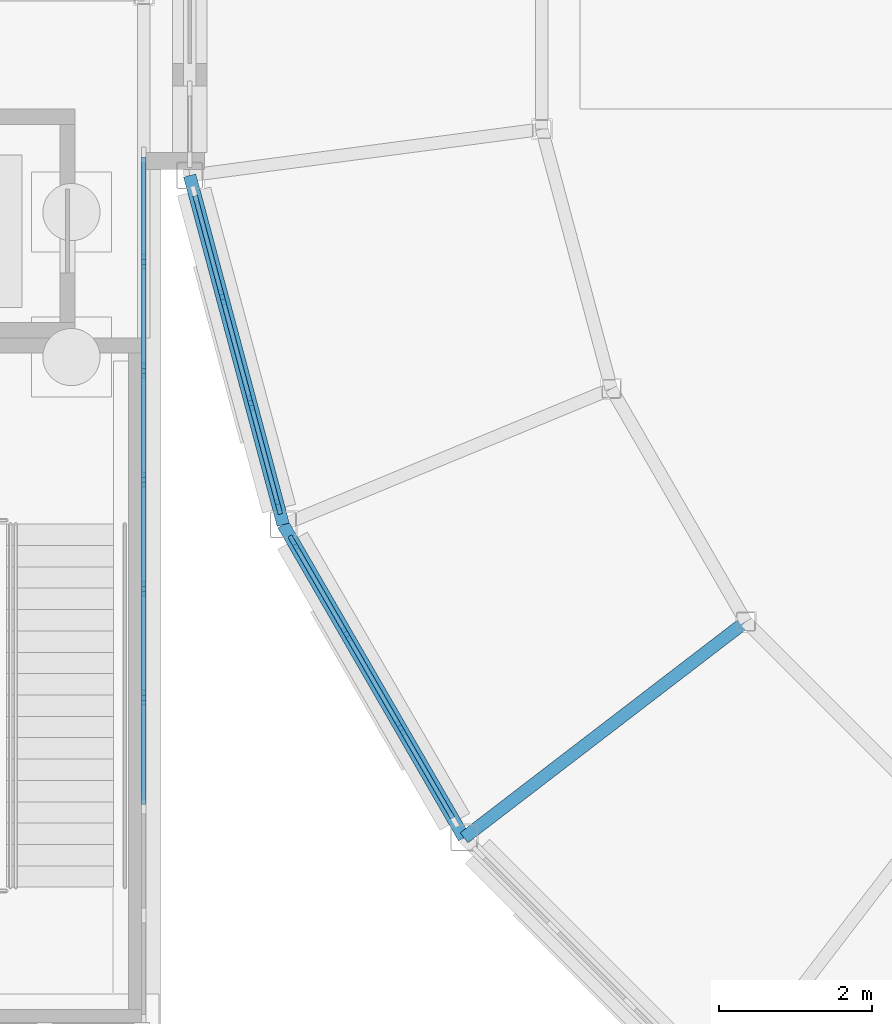
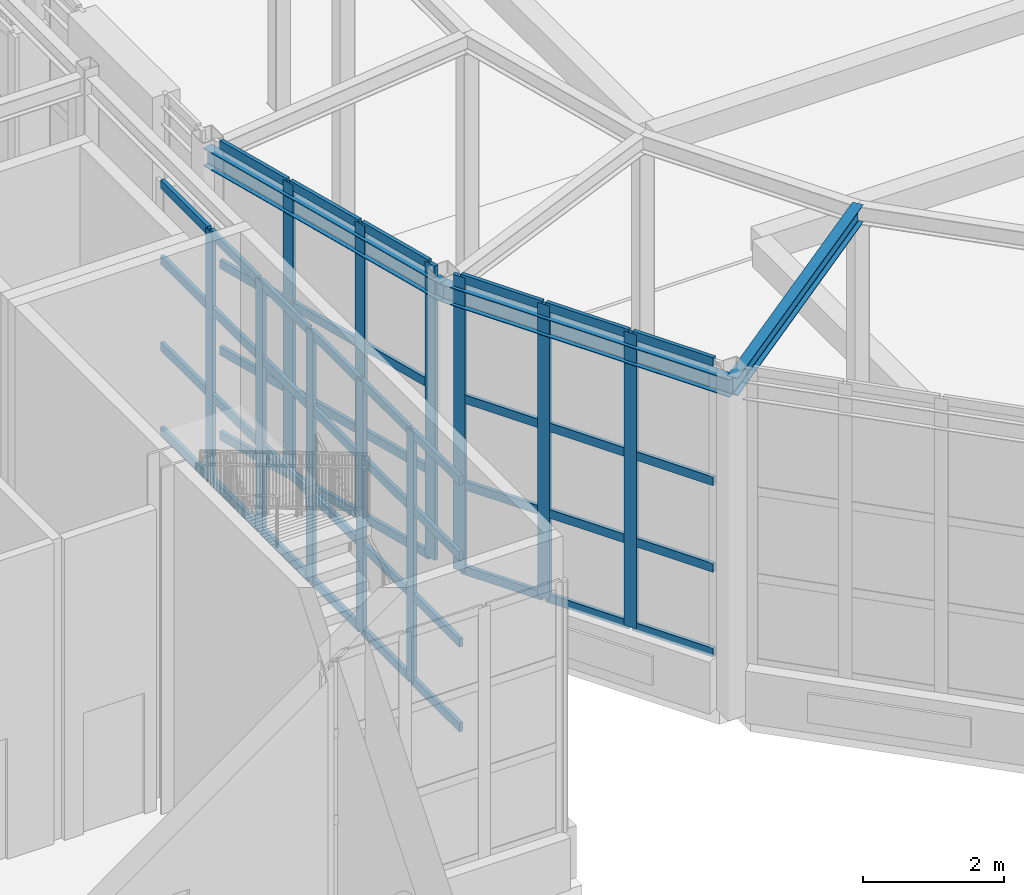
# One storey, part 27 of 106: 59 members, 3 beams, 3 elements without a shape of their own.
"""IFC4 building model written with IfcOpenShell, lengths in metres."""

import ifcopenshell
import ifcopenshell.guid

model = None  # the IFC model being written
_history = None  # IfcOwnerHistory: only IFC2X3 demands one
_inside = {}  # id of a spatial element -> (the spatial element, [elements in it])
_under = {}  # id of a project, library or spatial element -> (it, [spatial elements below it])
_declared = {}  # id of a project -> (the project, [libraries it declares])
_typed = {}  # id of a type object -> (the type object, [elements of that type])
_made_of = {}  # id of a material, layer set ... -> (it, [elements and type objects made of it])


def new_model(schema):
    """Start an empty IFC model of exactly this schema.

    Asked for "IFC4X3", IfcOpenShell would pick the latest addendum, in which some entities
    have other attributes; the version numbers below select the first issue.
    IFC2X3 requires an IfcOwnerHistory on every rooted entity: one is made here for all.
    """
    global model, _history
    if schema == "IFC4X3":
        model = ifcopenshell.file(schema_version=(4, 3, 0, 0))
    else:
        model = ifcopenshell.file(schema=schema)
    _inside.clear()
    _under.clear()
    _declared.clear()
    _typed.clear()
    _made_of.clear()
    _history = None
    if model.schema == "IFC2X3":
        org = make("IfcOrganization", Name="unknown")
        user = make(
            "IfcPersonAndOrganization",
            ThePerson=make("IfcPerson", FamilyName="unknown"),
            TheOrganization=org,
        )
        app = make(
            "IfcApplication",
            ApplicationDeveloper=org,
            Version="unknown",
            ApplicationFullName="unknown",
            ApplicationIdentifier="unknown",
        )
        _history = make(
            "IfcOwnerHistory",
            OwningUser=user,
            OwningApplication=app,
            ChangeAction="ADDED",
            CreationDate=0,
        )
    return model


def make(cls, **values):
    """One entity of the class cls with the attributes given. An attribute that is None is left unset."""
    return model.create_entity(
        cls, **{name: value for name, value in values.items() if value is not None}
    )


def rooted(cls, **values):
    """An entity with a GlobalId (a new one), such as an element, a storey or a relation."""
    return make(cls, GlobalId=ifcopenshell.guid.new(), OwnerHistory=_history, **values)


def si_unit(unit_type, name, prefix=None):
    """IfcSIUnit, for example si_unit("LENGTHUNIT", "METRE", prefix="MILLI")."""
    return make("IfcSIUnit", UnitType=unit_type, Prefix=prefix, Name=name)


def assignment(units):
    """IfcUnitAssignment: the units of a project."""
    return None if units is None else make("IfcUnitAssignment", Units=units)


def point(xyz):
    """IfcCartesianPoint."""
    return None if xyz is None else make("IfcCartesianPoint", Coordinates=xyz)


def direction(xyz):
    """IfcDirection."""
    return None if xyz is None else make("IfcDirection", DirectionRatios=xyz)


def frame(location, z_axis=None, x_axis=None):
    """IfcAxis2Placement3D, a coordinate frame: its origin and axes. An axis left out is left unset."""
    return make(
        "IfcAxis2Placement3D",
        Location=point(location),
        Axis=direction(z_axis),
        RefDirection=direction(x_axis),
    )


def frame_2d(location, x_axis=None):
    """IfcAxis2Placement2D, a coordinate frame in the plane: its origin and x axis."""
    return make(
        "IfcAxis2Placement2D", Location=point(location), RefDirection=direction(x_axis)
    )


def origin():
    """The frame at (0, 0, 0) with its axes left unset."""
    return frame((0.0, 0.0, 0.0))


def origin_2d():
    """The frame at (0, 0) in the plane with its x axis left unset."""
    return frame_2d((0.0, 0.0))


def place(relative_to, where):
    """IfcLocalPlacement: puts the frame where relative to a parent placement (None: the world)."""
    return make(
        "IfcLocalPlacement", PlacementRelTo=relative_to, RelativePlacement=where
    )


def context(
    kind, dimensions, precision=None, world=None, true_north=None, identifier=None
):
    """IfcGeometricRepresentationContext, for example the 3D "Model" context."""
    return make(
        "IfcGeometricRepresentationContext",
        ContextIdentifier=identifier,
        ContextType=kind,
        CoordinateSpaceDimension=dimensions,
        Precision=precision,
        WorldCoordinateSystem=world,
        TrueNorth=true_north,
    )


def subcontext(parent, identifier, kind, view, scale=None):
    """IfcGeometricRepresentationSubContext, for example "Body" below "Model"."""
    return make(
        "IfcGeometricRepresentationSubContext",
        ContextIdentifier=identifier,
        ContextType=kind,
        ParentContext=parent,
        TargetScale=scale,
        TargetView=view,
    )


def project(units=None, contexts=None):
    """IfcProject with its units and contexts."""
    return rooted(
        "IfcProject",
        Name="project",
        RepresentationContexts=contexts,
        UnitsInContext=assignment(units),
    )


def spatial(cls, under=None, at=None, **own):
    """A site, building, storey or space (cls), placed at a placement, below another one or the project."""
    s = rooted(cls, ObjectPlacement=at, **own)
    if under is not None:
        _under.setdefault(under.id(), (under, []))[1].append(s)
    return s


def profile(cls, at=None, kind="AREA", **sizes):
    """A parametric profile (cls). Its sizes go by their IFC names, for example OverallWidth=200.0."""
    return make(cls, ProfileType=kind, Position=at, **sizes)


def rectangle(**sizes):
    """IfcRectangleProfileDef."""
    return profile("IfcRectangleProfileDef", **sizes)


def i_section(**sizes):
    """IfcIShapeProfileDef."""
    return profile("IfcIShapeProfileDef", **sizes)


def extrude(swept, where, along, depth):
    """IfcExtrudedAreaSolid: the profile swept, set in the frame where, extruded along a direction by depth."""
    return make(
        "IfcExtrudedAreaSolid",
        SweptArea=swept,
        Position=where,
        ExtrudedDirection=direction(along),
        Depth=depth,
    )


def shape(context_of_items, identifier, shape_type, items):
    """IfcShapeRepresentation: the items that make up one representation, for example the "Body"."""
    return make(
        "IfcShapeRepresentation",
        ContextOfItems=context_of_items,
        RepresentationIdentifier=identifier,
        RepresentationType=shape_type,
        Items=items,
    )


def material(Name=None, Category=None):
    """IfcMaterial."""
    return make("IfcMaterial", Name=Name, Category=Category)


def layer(
    of_material, thickness, ventilated=None, Name=None, Category=None, Priority=None
):
    """IfcMaterialLayer: one layer of a wall or slab, of a material (None: an air gap)."""
    return make(
        "IfcMaterialLayer",
        Material=of_material,
        LayerThickness=thickness,
        IsVentilated=ventilated,
        Name=Name,
        Category=Category,
        Priority=Priority,
    )


def layer_set(layers, Name=None):
    """IfcMaterialLayerSet."""
    return make("IfcMaterialLayerSet", MaterialLayers=layers, LayerSetName=Name)


def material_profile(
    of_material, cross_section, Name=None, Category=None, Priority=None
):
    """IfcMaterialProfile: a cross section and its material."""
    return make(
        "IfcMaterialProfile",
        Name=Name,
        Material=of_material,
        Profile=cross_section,
        Priority=Priority,
        Category=Category,
    )


def profile_set(profiles, Name=None, composite=None):
    """IfcMaterialProfileSet."""
    return make(
        "IfcMaterialProfileSet",
        Name=Name,
        MaterialProfiles=profiles,
        CompositeProfile=composite,
    )


def made_of(thing, what):
    """Note that an element or type object is made of a material, layer set ...; save() writes the relation."""
    if what is not None:
        _made_of.setdefault(what.id(), (what, []))[1].append(thing)
    return thing


def type_object(cls, material=None, **own):
    """A type object (cls), such as IfcWallType, which elements share."""
    return made_of(rooted(cls, **own), material)


def element(
    cls,
    number,
    at=None,
    inside=None,
    cuts=None,
    type_object=None,
    material=None,
    context=None,
    identifier="Body",
    shape_type=None,
    held_by="IfcProductDefinitionShape",
    body=None,
    shapes=None,
    **own,
):
    """One element of the class cls, such as IfcWall. Its Tag is "e" and its number.

    at: its placement. inside: the storey or other place that contains it. cuts: it is an
    opening in that element (IfcRelVoidsElement). A single representation is given by context,
    identifier, shape_type and body (its items); several are given by shapes. held_by: the class
    of the entity that holds the representations. save() writes the other relations.
    """
    e = rooted(cls, Tag="e%d" % number, ObjectPlacement=at, **own)
    if body is not None:
        shapes = [shape(context, identifier, shape_type, body)]
    if shapes is not None:
        e.Representation = make(held_by, Representations=shapes)
    if inside is not None:
        _inside.setdefault(inside.id(), (inside, []))[1].append(e)
    if cuts is not None:
        rooted(
            "IfcRelVoidsElement", RelatingBuildingElement=cuts, RelatedOpeningElement=e
        )
    if type_object is not None:
        _typed.setdefault(type_object.id(), (type_object, []))[1].append(e)
    return made_of(e, material)


def aggregate(whole, parts):
    """IfcRelAggregates: a whole, such as a stair, and the parts it consists of."""
    return rooted("IfcRelAggregates", RelatingObject=whole, RelatedObjects=parts)


def save(model, path):
    """Write the relations noted so far, then the file.

    IfcRelAggregates (storeys below a building ...), IfcRelContainedInSpatialStructure (elements
    in a storey), IfcRelDefinesByType, IfcRelAssociatesMaterial and IfcRelDeclares: one each for
    every whole, place, type object, material and project.
    """
    for whole, parts in _under.values():
        aggregate(whole, parts)
    for where, things in _inside.values():
        rooted(
            "IfcRelContainedInSpatialStructure",
            RelatedElements=things,
            RelatingStructure=where,
        )
    for kind, things in _typed.values():
        rooted("IfcRelDefinesByType", RelatedObjects=things, RelatingType=kind)
    for what, things in _made_of.values():
        rooted("IfcRelAssociatesMaterial", RelatedObjects=things, RelatingMaterial=what)
    for by, libraries in _declared.values():
        rooted("IfcRelDeclares", RelatingContext=by, RelatedDefinitions=libraries)
    model.write(path)


model = new_model("IFC4")

# Units and contexts
model_context = context("Model", 3, precision=1e-05, world=origin(), true_north=direction((0.0, 1.0)))
body_context = subcontext(model_context, "Body", "Model", "MODEL_VIEW")
ifc_project = project(units=[si_unit("LENGTHUNIT", "METRE"), si_unit("AREAUNIT", "SQUARE_METRE"), si_unit("VOLUMEUNIT", "CUBIC_METRE"), si_unit("PLANEANGLEUNIT", "RADIAN"), si_unit("MASSUNIT", "GRAM", prefix="KILO")], contexts=[model_context])

# Site, building, storey
site_placement = place(None, origin())
site = spatial("IfcSite", under=ifc_project, at=site_placement, CompositionType="ELEMENT")
building_placement = place(site_placement, origin())
building = spatial("IfcBuilding", under=site, at=building_placement, Name="Hortulan Conservatory and Botanical Research Centre", CompositionType="ELEMENT")
storey_placement = place(building_placement, origin())
storey = spatial("IfcBuildingStorey", under=building, at=storey_placement, Name="L00", CompositionType="ELEMENT", Elevation=0.0)

# Curtain wall, members
ifc_material_1 = material(Name="Bronze-finished aluminium", Category="aluminium")
ifc_layer = layer(ifc_material_1, 0.10009765625)
ifc_layer_set = layer_set([ifc_layer], Name="Bronze-framed Curtain Wall 1500 module")
curtain_wall_type = type_object("IfcCurtainWallType", Name="Bronze-framed Curtain Wall 1500 module", PredefinedType="NOTDEFINED", material=ifc_layer_set)
curtain_wall_1_placement = place(storey_placement, origin())
curtain_wall_1 = element("IfcCurtainWall", 1, at=curtain_wall_1_placement, inside=storey, type_object=curtain_wall_type, Name="Curtain wall", PredefinedType="NOTDEFINED")
ifc_material_profile_1 = material_profile(ifc_material_1, rectangle(XDim=0.06005859375, YDim=0.199951171875, at=origin_2d()), Name="Bronze Mullion 60x200")
ifc_profile_set_1 = profile_set([ifc_material_profile_1], Name="Bronze-finished aluminium")
member_type_1 = type_object("IfcMemberType", Name="Bronze Mullion 60x200", PredefinedType="MULLION", material=ifc_profile_set_1)
member_1_placement = place(storey_placement, frame((37.16357421875, 11.2880859375, 0.89990234375), z_axis=(0.0, 0.0, 1.0), x_axis=(-0.965922372015, -0.258831936284, 0.0)))
member_1 = element("IfcMember", 2, at=member_1_placement, type_object=member_type_1, Name="CW1 mullion 1", PredefinedType="MULLION", context=body_context, shape_type="SweptSolid", body=[
    extrude(rectangle(XDim=0.06005859375, YDim=0.199951171875, at=origin_2d()), origin(), (0.0, 0.0, 1.0), 5.10009765625),
])
member_2_placement = place(storey_placement, frame((36.79931640625, 12.64697265625, 0.89990234375), z_axis=(0.0, 0.0, 1.0), x_axis=(-0.965922372015, -0.258831936284, 0.0)))
member_2 = element("IfcMember", 3, at=member_2_placement, type_object=member_type_1, Name="CW1 mullion 2", PredefinedType="MULLION", context=body_context, shape_type="SweptSolid", body=[
    extrude(rectangle(XDim=0.06005859375, YDim=0.199951171875, at=origin_2d()), origin(), (0.0, 0.0, 1.0), 5.10009765625),
])
member_3_placement = place(storey_placement, frame((36.427490234375, 14.034912109375, 0.89990234375), z_axis=(0.0, 0.0, 1.0), x_axis=(-0.965922372015, -0.258831936284, 0.0)))
member_3 = element("IfcMember", 4, at=member_3_placement, type_object=member_type_1, Name="CW1 mullion 3", PredefinedType="MULLION", context=body_context, shape_type="SweptSolid", body=[
    extrude(rectangle(XDim=0.06005859375, YDim=0.199951171875, at=origin_2d()), origin(), (0.0, 0.0, 1.0), 5.10009765625),
])

curtain_wall_2_placement = place(storey_placement, origin())
curtain_wall_2 = element("IfcCurtainWall", 5, at=curtain_wall_2_placement, inside=storey, type_object=curtain_wall_type, Name="Curtain wall", PredefinedType="NOTDEFINED")
member_4_placement = place(storey_placement, frame((38.7666015625, 8.385009765625, 0.89990234375), z_axis=(0.0, 0.0, 1.0), x_axis=(-0.866036280655, -0.499981160235, 0.0)))
member_4 = element("IfcMember", 6, at=member_4_placement, type_object=member_type_1, Name="CW1 mullion 2", PredefinedType="MULLION", context=body_context, shape_type="SweptSolid", body=[
    extrude(rectangle(XDim=0.06005859375, YDim=0.199951171875, at=origin_2d()), origin(), (0.0, 0.0, 1.0), 5.10009765625),
])
member_5_placement = place(storey_placement, frame((38.056396484375, 9.614990234375, 0.89990234375), z_axis=(0.0, 0.0, 1.0), x_axis=(-0.866036280655, -0.499981160235, 0.0)))
member_5 = element("IfcMember", 7, at=member_5_placement, type_object=member_type_1, Name="CW1 mullion 3", PredefinedType="MULLION", context=body_context, shape_type="SweptSolid", body=[
    extrude(rectangle(XDim=0.06005859375, YDim=0.199951171875, at=origin_2d()), origin(), (0.0, 0.0, 1.0), 5.10009765625),
])
member_6_placement = place(storey_placement, frame((37.361328125, 10.81884765625, 0.89990234375), z_axis=(0.0, 0.0, 1.0), x_axis=(-0.866036280655, -0.499981160235, 0.0)))
member_6 = element("IfcMember", 8, at=member_6_placement, type_object=member_type_1, Name="CW1 mullion 4", PredefinedType="MULLION", context=body_context, shape_type="SweptSolid", body=[
    extrude(rectangle(XDim=0.06005859375, YDim=0.199951171875, at=origin_2d()), origin(), (0.0, 0.0, 1.0), 5.10009765625),
])

curtain_wall_3_placement = place(storey_placement, origin())
curtain_wall_3 = element("IfcCurtainWall", 9, at=curtain_wall_3_placement, inside=storey, type_object=curtain_wall_type, Name="Curtain wall", PredefinedType="NOTDEFINED")
member_7_placement = place(storey_placement, frame((35.39990234375, 14.50146484375, 0.89990234375), z_axis=(0.0, 0.0, 1.0), x_axis=(1.0, 0.0, 0.0)))
member_7 = element("IfcMember", 10, at=member_7_placement, type_object=member_type_1, Name="CW1 mullion 2", PredefinedType="MULLION", context=body_context, shape_type="SweptSolid", body=[
    extrude(rectangle(XDim=0.06005859375, YDim=0.199951171875, at=origin_2d()), origin(), (0.0, 0.0, 1.0), 4.340087890625),
])
member_8_placement = place(storey_placement, frame((35.39990234375, 13.07275390625, 0.89990234375), z_axis=(0.0, 0.0, 1.0), x_axis=(1.0, 0.0, 0.0)))
member_8 = element("IfcMember", 11, at=member_8_placement, type_object=member_type_1, Name="CW1 mullion 3", PredefinedType="MULLION", context=body_context, shape_type="SweptSolid", body=[
    extrude(rectangle(XDim=0.06005859375, YDim=0.199951171875, at=origin_2d()), origin(), (0.0, 0.0, 1.0), 4.340087890625),
])
member_9_placement = place(storey_placement, frame((35.39990234375, 11.64404296875, 0.89990234375), z_axis=(0.0, 0.0, 1.0), x_axis=(1.0, 0.0, 0.0)))
member_9 = element("IfcMember", 12, at=member_9_placement, type_object=member_type_1, Name="CW1 mullion 4", PredefinedType="MULLION", context=body_context, shape_type="SweptSolid", body=[
    extrude(rectangle(XDim=0.06005859375, YDim=0.199951171875, at=origin_2d()), origin(), (0.0, 0.0, 1.0), 4.340087890625),
])
member_10_placement = place(storey_placement, frame((35.39990234375, 10.215087890625, 0.89990234375), z_axis=(0.0, 0.0, 1.0), x_axis=(1.0, 0.0, 0.0)))
member_10 = element("IfcMember", 13, at=member_10_placement, type_object=member_type_1, Name="CW1 mullion 5", PredefinedType="MULLION", context=body_context, shape_type="SweptSolid", body=[
    extrude(rectangle(XDim=0.06005859375, YDim=0.199951171875, at=origin_2d()), origin(), (0.0, 0.0, 1.0), 4.340087890625),
])
member_11_placement = place(storey_placement, frame((35.39990234375, 8.786376953125, 0.89990234375), z_axis=(0.0, 0.0, 1.0), x_axis=(1.0, 0.0, 0.0)))
member_11 = element("IfcMember", 14, at=member_11_placement, type_object=member_type_1, Name="CW1 mullion 6", PredefinedType="MULLION", context=body_context, shape_type="SweptSolid", body=[
    extrude(rectangle(XDim=0.06005859375, YDim=0.199951171875, at=origin_2d()), origin(), (0.0, 0.0, 1.0), 4.340087890625),
])

# Member
ifc_material_profile_2 = material_profile(ifc_material_1, rectangle(XDim=0.06005859375, YDim=0.14990234375, at=origin_2d()), Name="Bronze Transom 60x150")
ifc_profile_set_2 = profile_set([ifc_material_profile_2], Name="Bronze-finished aluminium")
member_type_2 = type_object("IfcMemberType", Name="Bronze Transom 60x150", PredefinedType="USERDEFINED", material=ifc_profile_set_2)
member_12_placement = place(storey_placement, frame((37.15576171875, 11.31689453125, 0.929931640625), z_axis=(-0.258835745824, 0.965921351189, 0.0), x_axis=(-0.965921351189, -0.258835745824, 0.0)))
member_12 = element("IfcMember", 15, at=member_12_placement, type_object=member_type_2, Name="CW1 transom 1.1", ObjectType="TRANSOM", PredefinedType="USERDEFINED", context=body_context, shape_type="SweptSolid", body=[
    extrude(rectangle(XDim=0.06005859375, YDim=0.14990234375, at=origin_2d()), origin(), (0.0, 0.0, 1.0), 1.346923828125),
])

member_13_placement = place(storey_placement, frame((37.15576171875, 11.31689453125, 2.39990234375), z_axis=(-0.258835745824, 0.965921351189, 0.0), x_axis=(-0.965921351189, -0.258835745824, 0.0)))
member_13 = element("IfcMember", 16, at=member_13_placement, type_object=member_type_2, Name="CW1 transom 1.2", ObjectType="TRANSOM", PredefinedType="USERDEFINED", context=body_context, shape_type="SweptSolid", body=[
    extrude(rectangle(XDim=0.06005859375, YDim=0.14990234375, at=origin_2d()), origin(), (0.0, 0.0, 1.0), 1.346923828125),
])

member_14_placement = place(storey_placement, frame((37.15576171875, 11.31689453125, 3.89990234375), z_axis=(-0.258835745824, 0.965921351189, 0.0), x_axis=(-0.965921351189, -0.258835745824, 0.0)))
member_14 = element("IfcMember", 17, at=member_14_placement, type_object=member_type_2, Name="CW1 transom 1.3", ObjectType="TRANSOM", PredefinedType="USERDEFINED", context=body_context, shape_type="SweptSolid", body=[
    extrude(rectangle(XDim=0.06005859375, YDim=0.14990234375, at=origin_2d()), origin(), (0.0, 0.0, 1.0), 1.346923828125),
])

member_15_placement = place(storey_placement, frame((37.15576171875, 11.31689453125, 5.969970703125), z_axis=(-0.258835745824, 0.965921351189, 0.0), x_axis=(-0.965921351189, -0.258835745824, 0.0)))
member_15 = element("IfcMember", 18, at=member_15_placement, type_object=member_type_2, Name="CW1 transom 1.4", ObjectType="TRANSOM", PredefinedType="USERDEFINED", context=body_context, shape_type="SweptSolid", body=[
    extrude(rectangle(XDim=0.06005859375, YDim=0.14990234375, at=origin_2d()), origin(), (0.0, 0.0, 1.0), 1.346923828125),
])

member_16_placement = place(storey_placement, frame((36.79150390625, 12.676025390625, 0.929931640625), z_axis=(-0.258688817498, 0.965960711262, 0.0), x_axis=(-0.965960711262, -0.258688817498, 0.0)))
member_16 = element("IfcMember", 19, at=member_16_placement, type_object=member_type_2, Name="CW1 transom 2.1", ObjectType="TRANSOM", PredefinedType="USERDEFINED", context=body_context, shape_type="SweptSolid", body=[
    extrude(rectangle(XDim=0.06005859375, YDim=0.14990234375, at=origin_2d()), origin(), (0.0, 0.0, 1.0), 1.376953125),
])

member_17_placement = place(storey_placement, frame((36.79150390625, 12.676025390625, 2.39990234375), z_axis=(-0.258688817498, 0.965960711262, 0.0), x_axis=(-0.965960711262, -0.258688817498, 0.0)))
member_17 = element("IfcMember", 20, at=member_17_placement, type_object=member_type_2, Name="CW1 transom 2.2", ObjectType="TRANSOM", PredefinedType="USERDEFINED", context=body_context, shape_type="SweptSolid", body=[
    extrude(rectangle(XDim=0.06005859375, YDim=0.14990234375, at=origin_2d()), origin(), (0.0, 0.0, 1.0), 1.376953125),
])

member_18_placement = place(storey_placement, frame((36.79150390625, 12.676025390625, 3.89990234375), z_axis=(-0.258688817498, 0.965960711262, 0.0), x_axis=(-0.965960711262, -0.258688817498, 0.0)))
member_18 = element("IfcMember", 21, at=member_18_placement, type_object=member_type_2, Name="CW1 transom 2.3", ObjectType="TRANSOM", PredefinedType="USERDEFINED", context=body_context, shape_type="SweptSolid", body=[
    extrude(rectangle(XDim=0.06005859375, YDim=0.14990234375, at=origin_2d()), origin(), (0.0, 0.0, 1.0), 1.376953125),
])

member_19_placement = place(storey_placement, frame((36.79150390625, 12.676025390625, 5.969970703125), z_axis=(-0.258688817498, 0.965960711262, 0.0), x_axis=(-0.965960711262, -0.258688817498, 0.0)))
member_19 = element("IfcMember", 22, at=member_19_placement, type_object=member_type_2, Name="CW1 transom 2.4", ObjectType="TRANSOM", PredefinedType="USERDEFINED", context=body_context, shape_type="SweptSolid", body=[
    extrude(rectangle(XDim=0.06005859375, YDim=0.14990234375, at=origin_2d()), origin(), (0.0, 0.0, 1.0), 1.376953125),
])

member_20_placement = place(storey_placement, frame((36.419677734375, 14.06396484375, 0.929931640625), z_axis=(-0.258835745824, 0.965921351189, 0.0), x_axis=(-0.965921351189, -0.258835745824, 0.0)))
member_20 = element("IfcMember", 23, at=member_20_placement, type_object=member_type_2, Name="CW1 transom 3.1", ObjectType="TRANSOM", PredefinedType="USERDEFINED", context=body_context, shape_type="SweptSolid", body=[
    extrude(rectangle(XDim=0.06005859375, YDim=0.14990234375, at=origin_2d()), origin(), (0.0, 0.0, 1.0), 1.346923828125),
])

member_21_placement = place(storey_placement, frame((36.419677734375, 14.06396484375, 2.39990234375), z_axis=(-0.258835745824, 0.965921351189, 0.0), x_axis=(-0.965921351189, -0.258835745824, 0.0)))
member_21 = element("IfcMember", 24, at=member_21_placement, type_object=member_type_2, Name="CW1 transom 3.2", ObjectType="TRANSOM", PredefinedType="USERDEFINED", context=body_context, shape_type="SweptSolid", body=[
    extrude(rectangle(XDim=0.06005859375, YDim=0.14990234375, at=origin_2d()), origin(), (0.0, 0.0, 1.0), 1.346923828125),
])

member_22_placement = place(storey_placement, frame((36.419677734375, 14.06396484375, 3.89990234375), z_axis=(-0.258835745824, 0.965921351189, 0.0), x_axis=(-0.965921351189, -0.258835745824, 0.0)))
member_22 = element("IfcMember", 25, at=member_22_placement, type_object=member_type_2, Name="CW1 transom 3.3", ObjectType="TRANSOM", PredefinedType="USERDEFINED", context=body_context, shape_type="SweptSolid", body=[
    extrude(rectangle(XDim=0.06005859375, YDim=0.14990234375, at=origin_2d()), origin(), (0.0, 0.0, 1.0), 1.346923828125),
])

member_23_placement = place(storey_placement, frame((36.419677734375, 14.06396484375, 5.969970703125), z_axis=(-0.258835745824, 0.965921351189, 0.0), x_axis=(-0.965921351189, -0.258835745824, 0.0)))
member_23 = element("IfcMember", 26, at=member_23_placement, type_object=member_type_2, Name="CW1 transom 3.4", ObjectType="TRANSOM", PredefinedType="USERDEFINED", context=body_context, shape_type="SweptSolid", body=[
    extrude(rectangle(XDim=0.06005859375, YDim=0.14990234375, at=origin_2d()), origin(), (0.0, 0.0, 1.0), 1.346923828125),
])

aggregate(curtain_wall_1, [member_1, member_2, member_3, member_12, member_13, member_14, member_15, member_16, member_17, member_18, member_19, member_20, member_21, member_22, member_23])

member_24_placement = place(storey_placement, frame((39.446533203125, 7.20703125, 0.929931640625), z_axis=(-0.499928984136, 0.866066400931, 0.0), x_axis=(-0.866066400931, -0.499928984136, 0.0)))
member_24 = element("IfcMember", 27, at=member_24_placement, type_object=member_type_2, Name="CW1 transom 1.1", ObjectType="TRANSOM", PredefinedType="USERDEFINED", context=body_context, shape_type="SweptSolid", body=[
    extrude(rectangle(XDim=0.06005859375, YDim=0.14990234375, at=origin_2d()), origin(), (0.0, 0.0, 1.0), 1.330322265625),
])

member_25_placement = place(storey_placement, frame((39.446533203125, 7.20703125, 2.39990234375), z_axis=(-0.499928984136, 0.866066400931, 0.0), x_axis=(-0.866066400931, -0.499928984136, 0.0)))
member_25 = element("IfcMember", 28, at=member_25_placement, type_object=member_type_2, Name="CW1 transom 1.2", ObjectType="TRANSOM", PredefinedType="USERDEFINED", context=body_context, shape_type="SweptSolid", body=[
    extrude(rectangle(XDim=0.06005859375, YDim=0.14990234375, at=origin_2d()), origin(), (0.0, 0.0, 1.0), 1.330322265625),
])

member_26_placement = place(storey_placement, frame((39.446533203125, 7.20703125, 3.89990234375), z_axis=(-0.499928984136, 0.866066400931, 0.0), x_axis=(-0.866066400931, -0.499928984136, 0.0)))
member_26 = element("IfcMember", 29, at=member_26_placement, type_object=member_type_2, Name="CW1 transom 1.3", ObjectType="TRANSOM", PredefinedType="USERDEFINED", context=body_context, shape_type="SweptSolid", body=[
    extrude(rectangle(XDim=0.06005859375, YDim=0.14990234375, at=origin_2d()), origin(), (0.0, 0.0, 1.0), 1.330322265625),
])

member_27_placement = place(storey_placement, frame((39.446533203125, 7.20703125, 5.969970703125), z_axis=(-0.499928984136, 0.866066400931, 0.0), x_axis=(-0.866066400931, -0.499928984136, 0.0)))
member_27 = element("IfcMember", 30, at=member_27_placement, type_object=member_type_2, Name="CW1 transom 1.4", ObjectType="TRANSOM", PredefinedType="USERDEFINED", context=body_context, shape_type="SweptSolid", body=[
    extrude(rectangle(XDim=0.06005859375, YDim=0.14990234375, at=origin_2d()), origin(), (0.0, 0.0, 1.0), 1.330322265625),
])

member_28_placement = place(storey_placement, frame((38.75146484375, 8.4111328125, 0.929931640625), z_axis=(-0.499981459473, 0.866036107898, 0.0), x_axis=(-0.866036107898, -0.499981459473, 0.0)))
member_28 = element("IfcMember", 31, at=member_28_placement, type_object=member_type_2, Name="CW1 transom 2.1", ObjectType="TRANSOM", PredefinedType="USERDEFINED", context=body_context, shape_type="SweptSolid", body=[
    extrude(rectangle(XDim=0.06005859375, YDim=0.14990234375, at=origin_2d()), origin(), (0.0, 0.0, 1.0), 1.35986328125),
])

member_29_placement = place(storey_placement, frame((38.75146484375, 8.4111328125, 2.39990234375), z_axis=(-0.499981459473, 0.866036107898, 0.0), x_axis=(-0.866036107898, -0.499981459473, 0.0)))
member_29 = element("IfcMember", 32, at=member_29_placement, type_object=member_type_2, Name="CW1 transom 2.2", ObjectType="TRANSOM", PredefinedType="USERDEFINED", context=body_context, shape_type="SweptSolid", body=[
    extrude(rectangle(XDim=0.06005859375, YDim=0.14990234375, at=origin_2d()), origin(), (0.0, 0.0, 1.0), 1.35986328125),
])

member_30_placement = place(storey_placement, frame((38.75146484375, 8.4111328125, 3.89990234375), z_axis=(-0.499981459473, 0.866036107898, 0.0), x_axis=(-0.866036107898, -0.499981459473, 0.0)))
member_30 = element("IfcMember", 33, at=member_30_placement, type_object=member_type_2, Name="CW1 transom 2.3", ObjectType="TRANSOM", PredefinedType="USERDEFINED", context=body_context, shape_type="SweptSolid", body=[
    extrude(rectangle(XDim=0.06005859375, YDim=0.14990234375, at=origin_2d()), origin(), (0.0, 0.0, 1.0), 1.35986328125),
])

member_31_placement = place(storey_placement, frame((38.75146484375, 8.4111328125, 5.969970703125), z_axis=(-0.499981459473, 0.866036107898, 0.0), x_axis=(-0.866036107898, -0.499981459473, 0.0)))
member_31 = element("IfcMember", 34, at=member_31_placement, type_object=member_type_2, Name="CW1 transom 2.4", ObjectType="TRANSOM", PredefinedType="USERDEFINED", context=body_context, shape_type="SweptSolid", body=[
    extrude(rectangle(XDim=0.06005859375, YDim=0.14990234375, at=origin_2d()), origin(), (0.0, 0.0, 1.0), 1.35986328125),
])

member_32_placement = place(storey_placement, frame((38.04150390625, 9.640869140625, 0.929931640625), z_axis=(-0.499928984136, 0.866066400931, 0.0), x_axis=(-0.866066400931, -0.499928984136, 0.0)))
member_32 = element("IfcMember", 35, at=member_32_placement, type_object=member_type_2, Name="CW1 transom 3.1", ObjectType="TRANSOM", PredefinedType="USERDEFINED", context=body_context, shape_type="SweptSolid", body=[
    extrude(rectangle(XDim=0.06005859375, YDim=0.14990234375, at=origin_2d()), origin(), (0.0, 0.0, 1.0), 1.330322265625),
])

member_33_placement = place(storey_placement, frame((38.04150390625, 9.640869140625, 2.39990234375), z_axis=(-0.499928984136, 0.866066400931, 0.0), x_axis=(-0.866066400931, -0.499928984136, 0.0)))
member_33 = element("IfcMember", 36, at=member_33_placement, type_object=member_type_2, Name="CW1 transom 3.2", ObjectType="TRANSOM", PredefinedType="USERDEFINED", context=body_context, shape_type="SweptSolid", body=[
    extrude(rectangle(XDim=0.06005859375, YDim=0.14990234375, at=origin_2d()), origin(), (0.0, 0.0, 1.0), 1.330322265625),
])

member_34_placement = place(storey_placement, frame((38.04150390625, 9.640869140625, 3.89990234375), z_axis=(-0.499928984136, 0.866066400931, 0.0), x_axis=(-0.866066400931, -0.499928984136, 0.0)))
member_34 = element("IfcMember", 37, at=member_34_placement, type_object=member_type_2, Name="CW1 transom 3.3", ObjectType="TRANSOM", PredefinedType="USERDEFINED", context=body_context, shape_type="SweptSolid", body=[
    extrude(rectangle(XDim=0.06005859375, YDim=0.14990234375, at=origin_2d()), origin(), (0.0, 0.0, 1.0), 1.330322265625),
])

member_35_placement = place(storey_placement, frame((38.04150390625, 9.640869140625, 5.969970703125), z_axis=(-0.499928984136, 0.866066400931, 0.0), x_axis=(-0.866066400931, -0.499928984136, 0.0)))
member_35 = element("IfcMember", 38, at=member_35_placement, type_object=member_type_2, Name="CW1 transom 3.4", ObjectType="TRANSOM", PredefinedType="USERDEFINED", context=body_context, shape_type="SweptSolid", body=[
    extrude(rectangle(XDim=0.06005859375, YDim=0.14990234375, at=origin_2d()), origin(), (0.0, 0.0, 1.0), 1.330322265625),
])

aggregate(curtain_wall_2, [member_4, member_5, member_6, member_24, member_25, member_26, member_27, member_28, member_29, member_30, member_31, member_32, member_33, member_34, member_35])

member_36_placement = place(storey_placement, frame((35.39990234375, 15.870361328125, 0.929931640625), z_axis=(0.0, -1.0, 0.0), x_axis=(1.0, 0.0, 0.0)))
member_36 = element("IfcMember", 39, at=member_36_placement, type_object=member_type_2, Name="CW1 transom 1.1", ObjectType="TRANSOM", PredefinedType="USERDEFINED", context=body_context, shape_type="SweptSolid", body=[
    extrude(rectangle(XDim=0.06005859375, YDim=0.14990234375, at=origin_2d()), origin(), (0.0, 0.0, 1.0), 1.3388671875),
])

member_37_placement = place(storey_placement, frame((35.39990234375, 15.870361328125, 2.39990234375), z_axis=(0.0, -1.0, 0.0), x_axis=(1.0, 0.0, 0.0)))
member_37 = element("IfcMember", 40, at=member_37_placement, type_object=member_type_2, Name="CW1 transom 1.2", ObjectType="TRANSOM", PredefinedType="USERDEFINED", context=body_context, shape_type="SweptSolid", body=[
    extrude(rectangle(XDim=0.06005859375, YDim=0.14990234375, at=origin_2d()), origin(), (0.0, 0.0, 1.0), 1.3388671875),
])

member_38_placement = place(storey_placement, frame((35.39990234375, 15.870361328125, 3.89990234375), z_axis=(0.0, -1.0, 0.0), x_axis=(1.0, 0.0, 0.0)))
member_38 = element("IfcMember", 41, at=member_38_placement, type_object=member_type_2, Name="CW1 transom 1.3", ObjectType="TRANSOM", PredefinedType="USERDEFINED", context=body_context, shape_type="SweptSolid", body=[
    extrude(rectangle(XDim=0.06005859375, YDim=0.14990234375, at=origin_2d()), origin(), (0.0, 0.0, 1.0), 1.3388671875),
])

member_39_placement = place(storey_placement, frame((35.39990234375, 15.870361328125, 5.2099609375), z_axis=(0.0, -1.0, 0.0), x_axis=(1.0, 0.0, 0.0)))
member_39 = element("IfcMember", 42, at=member_39_placement, type_object=member_type_2, Name="CW1 transom 1.4", ObjectType="TRANSOM", PredefinedType="USERDEFINED", context=body_context, shape_type="SweptSolid", body=[
    extrude(rectangle(XDim=0.06005859375, YDim=0.14990234375, at=origin_2d()), origin(), (0.0, 0.0, 1.0), 1.3388671875),
])

member_40_placement = place(storey_placement, frame((35.39990234375, 14.471435546875, 0.929931640625), z_axis=(0.0, -1.0, 0.0), x_axis=(1.0, 0.0, 0.0)))
member_40 = element("IfcMember", 43, at=member_40_placement, type_object=member_type_2, Name="CW1 transom 2.1", ObjectType="TRANSOM", PredefinedType="USERDEFINED", context=body_context, shape_type="SweptSolid", body=[
    extrude(rectangle(XDim=0.06005859375, YDim=0.14990234375, at=origin_2d()), origin(), (0.0, 0.0, 1.0), 1.36865234375),
])

member_41_placement = place(storey_placement, frame((35.39990234375, 14.471435546875, 2.39990234375), z_axis=(0.0, -1.0, 0.0), x_axis=(1.0, 0.0, 0.0)))
member_41 = element("IfcMember", 44, at=member_41_placement, type_object=member_type_2, Name="CW1 transom 2.2", ObjectType="TRANSOM", PredefinedType="USERDEFINED", context=body_context, shape_type="SweptSolid", body=[
    extrude(rectangle(XDim=0.06005859375, YDim=0.14990234375, at=origin_2d()), origin(), (0.0, 0.0, 1.0), 1.36865234375),
])

member_42_placement = place(storey_placement, frame((35.39990234375, 14.471435546875, 3.89990234375), z_axis=(0.0, -1.0, 0.0), x_axis=(1.0, 0.0, 0.0)))
member_42 = element("IfcMember", 45, at=member_42_placement, type_object=member_type_2, Name="CW1 transom 2.3", ObjectType="TRANSOM", PredefinedType="USERDEFINED", context=body_context, shape_type="SweptSolid", body=[
    extrude(rectangle(XDim=0.06005859375, YDim=0.14990234375, at=origin_2d()), origin(), (0.0, 0.0, 1.0), 1.36865234375),
])

member_43_placement = place(storey_placement, frame((35.39990234375, 14.471435546875, 5.2099609375), z_axis=(0.0, -1.0, 0.0), x_axis=(1.0, 0.0, 0.0)))
member_43 = element("IfcMember", 46, at=member_43_placement, type_object=member_type_2, Name="CW1 transom 2.4", ObjectType="TRANSOM", PredefinedType="USERDEFINED", context=body_context, shape_type="SweptSolid", body=[
    extrude(rectangle(XDim=0.06005859375, YDim=0.14990234375, at=origin_2d()), origin(), (0.0, 0.0, 1.0), 1.36865234375),
])

member_44_placement = place(storey_placement, frame((35.39990234375, 13.042724609375, 0.929931640625), z_axis=(0.0, -1.0, 0.0), x_axis=(1.0, 0.0, 0.0)))
member_44 = element("IfcMember", 47, at=member_44_placement, type_object=member_type_2, Name="CW1 transom 3.1", ObjectType="TRANSOM", PredefinedType="USERDEFINED", context=body_context, shape_type="SweptSolid", body=[
    extrude(rectangle(XDim=0.06005859375, YDim=0.14990234375, at=origin_2d()), origin(), (0.0, 0.0, 1.0), 1.368896484375),
])

member_45_placement = place(storey_placement, frame((35.39990234375, 13.042724609375, 2.39990234375), z_axis=(0.0, -1.0, 0.0), x_axis=(1.0, 0.0, 0.0)))
member_45 = element("IfcMember", 48, at=member_45_placement, type_object=member_type_2, Name="CW1 transom 3.2", ObjectType="TRANSOM", PredefinedType="USERDEFINED", context=body_context, shape_type="SweptSolid", body=[
    extrude(rectangle(XDim=0.06005859375, YDim=0.14990234375, at=origin_2d()), origin(), (0.0, 0.0, 1.0), 1.368896484375),
])

member_46_placement = place(storey_placement, frame((35.39990234375, 13.042724609375, 3.89990234375), z_axis=(0.0, -1.0, 0.0), x_axis=(1.0, 0.0, 0.0)))
member_46 = element("IfcMember", 49, at=member_46_placement, type_object=member_type_2, Name="CW1 transom 3.3", ObjectType="TRANSOM", PredefinedType="USERDEFINED", context=body_context, shape_type="SweptSolid", body=[
    extrude(rectangle(XDim=0.06005859375, YDim=0.14990234375, at=origin_2d()), origin(), (0.0, 0.0, 1.0), 1.368896484375),
])

member_47_placement = place(storey_placement, frame((35.39990234375, 13.042724609375, 5.2099609375), z_axis=(0.0, -1.0, 0.0), x_axis=(1.0, 0.0, 0.0)))
member_47 = element("IfcMember", 50, at=member_47_placement, type_object=member_type_2, Name="CW1 transom 3.4", ObjectType="TRANSOM", PredefinedType="USERDEFINED", context=body_context, shape_type="SweptSolid", body=[
    extrude(rectangle(XDim=0.06005859375, YDim=0.14990234375, at=origin_2d()), origin(), (0.0, 0.0, 1.0), 1.368896484375),
])

member_48_placement = place(storey_placement, frame((35.39990234375, 11.614013671875, 0.929931640625), z_axis=(0.0, -1.0, 0.0), x_axis=(1.0, 0.0, 0.0)))
member_48 = element("IfcMember", 51, at=member_48_placement, type_object=member_type_2, Name="CW1 transom 4.1", ObjectType="TRANSOM", PredefinedType="USERDEFINED", context=body_context, shape_type="SweptSolid", body=[
    extrude(rectangle(XDim=0.06005859375, YDim=0.14990234375, at=origin_2d()), origin(), (0.0, 0.0, 1.0), 1.368896484375),
])

member_49_placement = place(storey_placement, frame((35.39990234375, 11.614013671875, 2.39990234375), z_axis=(0.0, -1.0, 0.0), x_axis=(1.0, 0.0, 0.0)))
member_49 = element("IfcMember", 52, at=member_49_placement, type_object=member_type_2, Name="CW1 transom 4.2", ObjectType="TRANSOM", PredefinedType="USERDEFINED", context=body_context, shape_type="SweptSolid", body=[
    extrude(rectangle(XDim=0.06005859375, YDim=0.14990234375, at=origin_2d()), origin(), (0.0, 0.0, 1.0), 1.368896484375),
])

member_50_placement = place(storey_placement, frame((35.39990234375, 11.614013671875, 3.89990234375), z_axis=(0.0, -1.0, 0.0), x_axis=(1.0, 0.0, 0.0)))
member_50 = element("IfcMember", 53, at=member_50_placement, type_object=member_type_2, Name="CW1 transom 4.3", ObjectType="TRANSOM", PredefinedType="USERDEFINED", context=body_context, shape_type="SweptSolid", body=[
    extrude(rectangle(XDim=0.06005859375, YDim=0.14990234375, at=origin_2d()), origin(), (0.0, 0.0, 1.0), 1.368896484375),
])

member_51_placement = place(storey_placement, frame((35.39990234375, 11.614013671875, 5.2099609375), z_axis=(0.0, -1.0, 0.0), x_axis=(1.0, 0.0, 0.0)))
member_51 = element("IfcMember", 54, at=member_51_placement, type_object=member_type_2, Name="CW1 transom 4.4", ObjectType="TRANSOM", PredefinedType="USERDEFINED", context=body_context, shape_type="SweptSolid", body=[
    extrude(rectangle(XDim=0.06005859375, YDim=0.14990234375, at=origin_2d()), origin(), (0.0, 0.0, 1.0), 1.368896484375),
])

member_52_placement = place(storey_placement, frame((35.39990234375, 10.18505859375, 0.929931640625), z_axis=(0.0, -1.0, 0.0), x_axis=(1.0, 0.0, 0.0)))
member_52 = element("IfcMember", 55, at=member_52_placement, type_object=member_type_2, Name="CW1 transom 5.1", ObjectType="TRANSOM", PredefinedType="USERDEFINED", context=body_context, shape_type="SweptSolid", body=[
    extrude(rectangle(XDim=0.06005859375, YDim=0.14990234375, at=origin_2d()), origin(), (0.0, 0.0, 1.0), 1.36865234375),
])

member_53_placement = place(storey_placement, frame((35.39990234375, 10.18505859375, 2.39990234375), z_axis=(0.0, -1.0, 0.0), x_axis=(1.0, 0.0, 0.0)))
member_53 = element("IfcMember", 56, at=member_53_placement, type_object=member_type_2, Name="CW1 transom 5.2", ObjectType="TRANSOM", PredefinedType="USERDEFINED", context=body_context, shape_type="SweptSolid", body=[
    extrude(rectangle(XDim=0.06005859375, YDim=0.14990234375, at=origin_2d()), origin(), (0.0, 0.0, 1.0), 1.36865234375),
])

member_54_placement = place(storey_placement, frame((35.39990234375, 10.18505859375, 3.89990234375), z_axis=(0.0, -1.0, 0.0), x_axis=(1.0, 0.0, 0.0)))
member_54 = element("IfcMember", 57, at=member_54_placement, type_object=member_type_2, Name="CW1 transom 5.3", ObjectType="TRANSOM", PredefinedType="USERDEFINED", context=body_context, shape_type="SweptSolid", body=[
    extrude(rectangle(XDim=0.06005859375, YDim=0.14990234375, at=origin_2d()), origin(), (0.0, 0.0, 1.0), 1.36865234375),
])

member_55_placement = place(storey_placement, frame((35.39990234375, 10.18505859375, 5.2099609375), z_axis=(0.0, -1.0, 0.0), x_axis=(1.0, 0.0, 0.0)))
member_55 = element("IfcMember", 58, at=member_55_placement, type_object=member_type_2, Name="CW1 transom 5.4", ObjectType="TRANSOM", PredefinedType="USERDEFINED", context=body_context, shape_type="SweptSolid", body=[
    extrude(rectangle(XDim=0.06005859375, YDim=0.14990234375, at=origin_2d()), origin(), (0.0, 0.0, 1.0), 1.36865234375),
])

member_56_placement = place(storey_placement, frame((35.39990234375, 8.75634765625, 0.929931640625), z_axis=(0.0, -1.0, 0.0), x_axis=(1.0, 0.0, 0.0)))
member_56 = element("IfcMember", 59, at=member_56_placement, type_object=member_type_2, Name="CW1 transom 6.1", ObjectType="TRANSOM", PredefinedType="USERDEFINED", context=body_context, shape_type="SweptSolid", body=[
    extrude(rectangle(XDim=0.06005859375, YDim=0.14990234375, at=origin_2d()), origin(), (0.0, 0.0, 1.0), 1.36865234375),
])

member_57_placement = place(storey_placement, frame((35.39990234375, 8.75634765625, 2.39990234375), z_axis=(0.0, -1.0, 0.0), x_axis=(1.0, 0.0, 0.0)))
member_57 = element("IfcMember", 60, at=member_57_placement, type_object=member_type_2, Name="CW1 transom 6.2", ObjectType="TRANSOM", PredefinedType="USERDEFINED", context=body_context, shape_type="SweptSolid", body=[
    extrude(rectangle(XDim=0.06005859375, YDim=0.14990234375, at=origin_2d()), origin(), (0.0, 0.0, 1.0), 1.36865234375),
])

member_58_placement = place(storey_placement, frame((35.39990234375, 8.75634765625, 3.89990234375), z_axis=(0.0, -1.0, 0.0), x_axis=(1.0, 0.0, 0.0)))
member_58 = element("IfcMember", 61, at=member_58_placement, type_object=member_type_2, Name="CW1 transom 6.3", ObjectType="TRANSOM", PredefinedType="USERDEFINED", context=body_context, shape_type="SweptSolid", body=[
    extrude(rectangle(XDim=0.06005859375, YDim=0.14990234375, at=origin_2d()), origin(), (0.0, 0.0, 1.0), 1.36865234375),
])

member_59_placement = place(storey_placement, frame((35.39990234375, 8.75634765625, 5.2099609375), z_axis=(0.0, -1.0, 0.0), x_axis=(1.0, 0.0, 0.0)))
member_59 = element("IfcMember", 62, at=member_59_placement, type_object=member_type_2, Name="CW1 transom 6.4", ObjectType="TRANSOM", PredefinedType="USERDEFINED", context=body_context, shape_type="SweptSolid", body=[
    extrude(rectangle(XDim=0.06005859375, YDim=0.14990234375, at=origin_2d()), origin(), (0.0, 0.0, 1.0), 1.36865234375),
])

aggregate(curtain_wall_3, [member_7, member_8, member_9, member_10, member_11, member_36, member_37, member_38, member_39, member_40, member_41, member_42, member_43, member_44, member_45, member_46, member_47, member_48, member_49, member_50, member_51, member_52, member_53, member_54, member_55, member_56, member_57, member_58, member_59])

# Beams
ifc_material_2 = material(Name="Steel Grade 300PLUS (AS/NZS 3679.1, 280 MPa minimum yield)", Category="steel")
ifc_material_profile_3 = material_profile(ifc_material_2, i_section(OverallWidth=0.166015625, OverallDepth=0.306884765625, WebThickness=0.006591796875, FlangeThickness=0.01171875, FilletRadius=0.011474609375, at=origin_2d()), Name="310UB46.2")
ifc_profile_set_3 = profile_set([ifc_material_profile_3], Name="Steel Grade 300PLUS (AS/NZS 3679.1, 280 MPa minimum yield)")
beam_type = type_object("IfcBeamType", Name="Dome Canopy Walk Beam 310UB46.2", PredefinedType="BEAM", material=ifc_profile_set_3)
beam_1_placement = place(storey_placement, frame((43.289794921875, 9.78173828125, 5.646484375), z_axis=(-0.79335644737, -0.608757379764, 0.0), x_axis=(0.608757379764, -0.79335644737, 0.0)))
element("IfcBeam", 63, at=beam_1_placement, inside=storey, type_object=beam_type, Name="Canopy walk radial beam 15", PredefinedType="BEAM", context=body_context, shape_type="SweptSolid", body=[
    extrude(i_section(OverallWidth=0.166015625, OverallDepth=0.306884765625, WebThickness=0.006591796875, FlangeThickness=0.01171875, FilletRadius=0.011474609375, at=origin_2d()), origin(), (0.0, 0.0, 1.0), 4.6552734375),
])
beam_2_placement = place(storey_placement, frame((36.0, 15.63037109375, 5.646484375), z_axis=(0.258839073629, -0.965920459439, 0.0), x_axis=(0.965920459439, 0.258839073629, 0.0)))
element("IfcBeam", 64, at=beam_2_placement, inside=storey, type_object=beam_type, Name="Canopy walk edge beam 13", PredefinedType="BEAM", context=body_context, shape_type="SweptSolid", body=[
    extrude(i_section(OverallWidth=0.166015625, OverallDepth=0.306884765625, WebThickness=0.006591796875, FlangeThickness=0.01171875, FilletRadius=0.011474609375, at=origin_2d()), origin(), (0.0, 0.0, 1.0), 4.73974609375),
])
beam_3_placement = place(storey_placement, frame((37.226806640625, 11.05224609375, 5.646484375), z_axis=(0.4999840544, -0.866034609785, 0.0), x_axis=(0.866034609785, 0.4999840544, 0.0)))
element("IfcBeam", 65, at=beam_3_placement, inside=storey, type_object=beam_type, Name="Canopy walk edge beam 14", PredefinedType="BEAM", context=body_context, shape_type="SweptSolid", body=[
    extrude(i_section(OverallWidth=0.166015625, OverallDepth=0.306884765625, WebThickness=0.006591796875, FlangeThickness=0.01171875, FilletRadius=0.011474609375, at=origin_2d()), origin(), (0.0, 0.0, 1.0), 4.739501953125),
])

save(model, "model.ifc")
